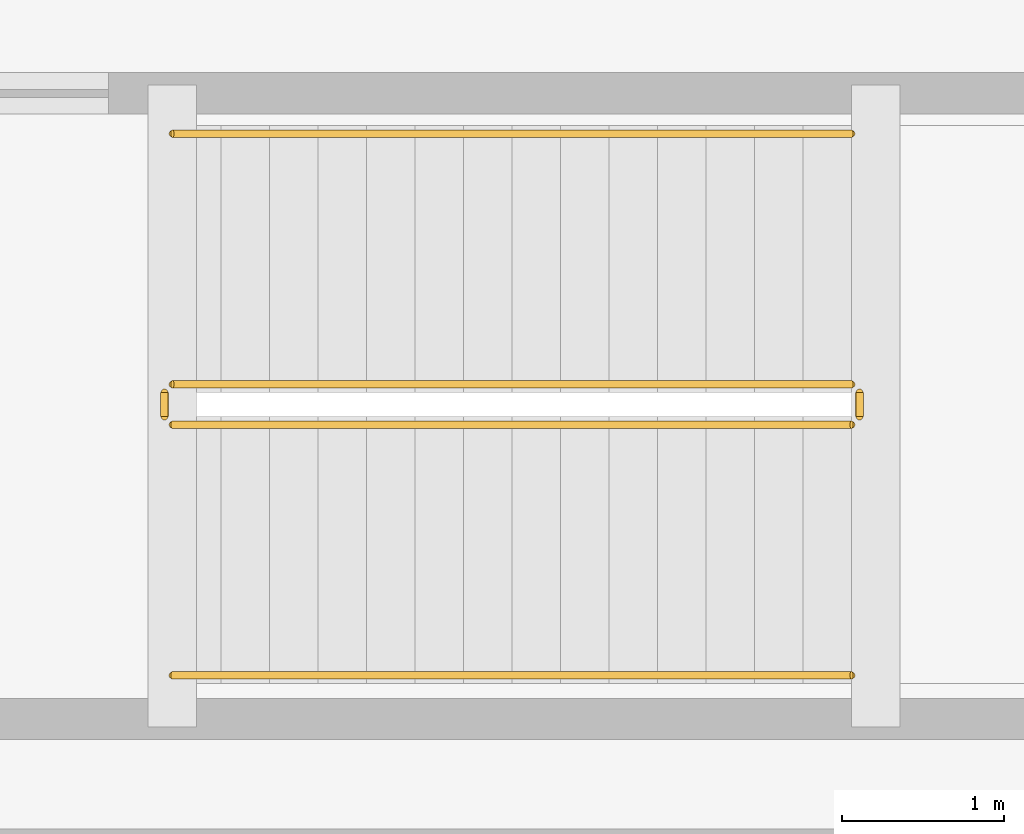
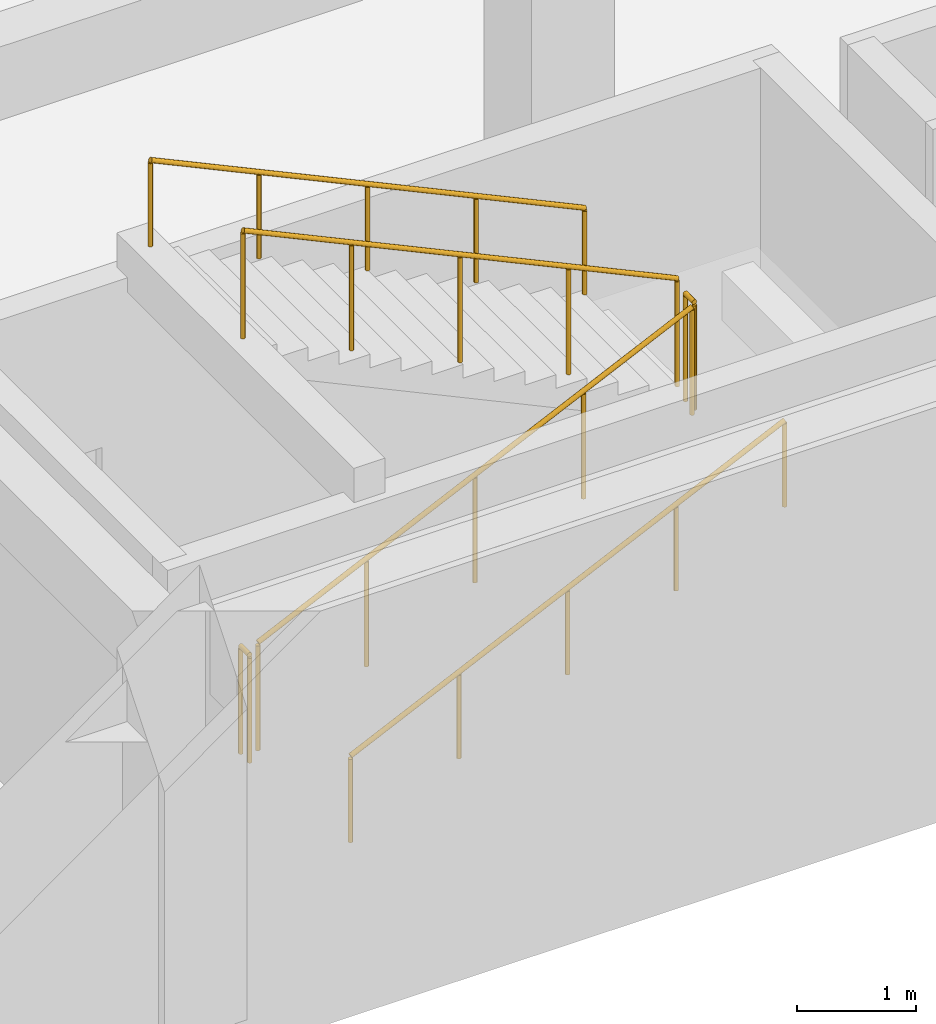
# One storey, part 59 of 63: 6 railings.
"""IFC4 building model written with IfcOpenShell, lengths in metres."""

from ifc_helpers import new_model, si_unit, direction, frame, origin, origin_2d, place, context, subcontext, project, spatial, circle, extrude, material, type_object, element, save


model = new_model("IFC4")

# Units and contexts
model_context = context("Model", 3, precision=1e-05, world=origin(), true_north=direction((0.0, 1.0)))
body_context = subcontext(model_context, "Body", "Model", "MODEL_VIEW")
ifc_project = project(units=[si_unit("LENGTHUNIT", "METRE"), si_unit("AREAUNIT", "SQUARE_METRE"), si_unit("VOLUMEUNIT", "CUBIC_METRE"), si_unit("PLANEANGLEUNIT", "RADIAN"), si_unit("MASSUNIT", "GRAM", prefix="KILO")], contexts=[model_context])

# Site, building, storey
site_placement = place(None, origin())
site = spatial("IfcSite", under=ifc_project, at=site_placement, CompositionType="ELEMENT")
building_placement = place(site_placement, origin())
building = spatial("IfcBuilding", under=site, at=building_placement, Name="Cumbredor Promenade Congress Hotel", CompositionType="ELEMENT")
storey_placement = place(building_placement, frame((0.0, 0.0, -4.199951171875)))
storey = spatial("IfcBuildingStorey", under=building, at=storey_placement, Name="B01", CompositionType="ELEMENT", Elevation=-4.199951171875)

# Railings
ifc_material = material(Name="Brushed stainless steel", Category="steel")
railing_type_1 = type_object("IfcRailingType", Name="Interior Void & Stair Guardrail GR-1100", PredefinedType="GUARDRAIL", material=ifc_material)
railing_1_placement = place(storey_placement, frame((145.14990234375, 11.199951171875, 0.139892578125)))
element("IfcRailing", 1, at=railing_1_placement, inside=storey, type_object=railing_type_1, Name="B01 ST-08 stair guard 1", PredefinedType="GUARDRAIL", context=body_context, shape_type="SweptSolid", body=[
    extrude(circle(Radius=0.02392578125, at=origin_2d()), frame((0.0, 0.0, 1.09619140625), z_axis=(0.906193905077, 0.0, 0.422862396533), x_axis=(0.0, 1.0, 0.0)), (0.0, 0.0, 1.0), 4.635009765625),
    extrude(circle(Radius=0.02099609375, at=origin_2d()), origin(), (0.0, 0.0, 1.0), 1.072021484375),
    extrude(circle(Radius=0.02099609375, at=origin_2d()), frame((1.050048828125, 0.0, 0.489990234375)), (0.0, 0.0, 1.0), 1.072021484375),
    extrude(circle(Radius=0.02099609375, at=origin_2d()), frame((2.10009765625, 0.0, 0.97998046875)), (0.0, 0.0, 1.0), 1.072021484375),
    extrude(circle(Radius=0.02099609375, at=origin_2d()), frame((3.150146484375, 0.0, 1.469970703125)), (0.0, 0.0, 1.0), 1.072021484375),
    extrude(circle(Radius=0.02099609375, at=origin_2d()), frame((4.2001953125, 0.0, 1.9599609375)), (0.0, 0.0, 1.0), 1.072021484375),
])
railing_2_placement = place(storey_placement, frame((149.39990234375, 11.25, 2.099853515625)))
element("IfcRailing", 2, at=railing_2_placement, inside=storey, type_object=railing_type_1, Name="B01 ST-08 stair guard 2", PredefinedType="GUARDRAIL", context=body_context, shape_type="SweptSolid", body=[
    extrude(circle(Radius=0.02392578125, at=origin_2d()), frame((0.0, 0.0, 1.09619140625), z_axis=(0.0, 1.0, 0.0), x_axis=(-1.0, 0.0, 0.0)), (0.0, 0.0, 1.0), 0.14990234375),
    extrude(circle(Radius=0.02099609375, at=origin_2d()), origin(), (0.0, 0.0, 1.0), 1.072021484375),
    extrude(circle(Radius=0.02099609375, at=origin_2d()), frame((0.0, 0.14990234375, 0.0)), (0.0, 0.0, 1.0), 1.072021484375),
])
railing_3_placement = place(storey_placement, frame((149.35009765625, 11.449951171875, 2.239990234375)))
element("IfcRailing", 3, at=railing_3_placement, inside=storey, type_object=railing_type_1, Name="B01 ST-08 stair guard 3", PredefinedType="GUARDRAIL", context=body_context, shape_type="SweptSolid", body=[
    extrude(circle(Radius=0.02392578125, at=origin_2d()), frame((0.0, 0.0, 1.09619140625), z_axis=(-0.906193905077, 0.0, 0.422862396533), x_axis=(0.0, -1.0, 0.0)), (0.0, 0.0, 1.0), 4.635009765625),
    extrude(circle(Radius=0.02099609375, at=origin_2d()), origin(), (0.0, 0.0, 1.0), 1.072021484375),
    extrude(circle(Radius=0.02099609375, at=origin_2d()), frame((-1.050048828125, 0.0, 0.489990234375)), (0.0, 0.0, 1.0), 1.072021484375),
    extrude(circle(Radius=0.02099609375, at=origin_2d()), frame((-2.10009765625, 0.0, 0.97998046875)), (0.0, 0.0, 1.0), 1.072021484375),
    extrude(circle(Radius=0.02099609375, at=origin_2d()), frame((-3.150146484375, 0.0, 1.469970703125)), (0.0, 0.0, 1.0), 1.072021484375),
    extrude(circle(Radius=0.02099609375, at=origin_2d()), frame((-4.2001953125, 0.0, 1.9599609375)), (0.0, 0.0, 1.0), 1.072021484375),
])
railing_4_placement = place(storey_placement, frame((145.10009765625, 11.25, 0.0)))
element("IfcRailing", 4, at=railing_4_placement, inside=storey, type_object=railing_type_1, Name="B01 ST-08 stair guard 4", PredefinedType="GUARDRAIL", context=body_context, shape_type="SweptSolid", body=[
    extrude(circle(Radius=0.02392578125, at=origin_2d()), frame((0.0, 0.0, 1.09619140625), z_axis=(0.0, 1.0, 0.0), x_axis=(-1.0, 0.0, 0.0)), (0.0, 0.0, 1.0), 0.14990234375),
    extrude(circle(Radius=0.02099609375, at=origin_2d()), origin(), (0.0, 0.0, 1.0), 1.072021484375),
    extrude(circle(Radius=0.02099609375, at=origin_2d()), frame((0.0, 0.14990234375, 0.0)), (0.0, 0.0, 1.0), 1.072021484375),
])
railing_type_2 = type_object("IfcRailingType", Name="Stair Pitch Handrail HR-900", PredefinedType="HANDRAIL", material=ifc_material)
railing_5_placement = place(storey_placement, frame((145.14990234375, 9.64990234375, 0.139892578125)))
element("IfcRailing", 5, at=railing_5_placement, inside=storey, type_object=railing_type_2, Name="B01 ST-08 stair handrail 1", PredefinedType="HANDRAIL", context=body_context, shape_type="SweptSolid", body=[
    extrude(circle(Radius=0.02392578125, at=origin_2d()), frame((0.0, 0.0, 0.8759765625), z_axis=(0.906193905077, 0.0, 0.422862396533), x_axis=(0.0, 1.0, 0.0)), (0.0, 0.0, 1.0), 4.635009765625),
    extrude(circle(Radius=0.02099609375, at=origin_2d()), origin(), (0.0, 0.0, 1.0), 0.851806640625),
    extrude(circle(Radius=0.02099609375, at=origin_2d()), frame((1.050048828125, 0.0, 0.489990234375)), (0.0, 0.0, 1.0), 0.851806640625),
    extrude(circle(Radius=0.02099609375, at=origin_2d()), frame((2.10009765625, 0.0, 0.97998046875)), (0.0, 0.0, 1.0), 0.851806640625),
    extrude(circle(Radius=0.02099609375, at=origin_2d()), frame((3.150146484375, 0.0, 1.469970703125)), (0.0, 0.0, 1.0), 0.851806640625),
    extrude(circle(Radius=0.02099609375, at=origin_2d()), frame((4.2001953125, 0.0, 1.9599609375)), (0.0, 0.0, 1.0), 0.851806640625),
])
railing_6_placement = place(storey_placement, frame((149.35009765625, 13.0, 2.239990234375)))
element("IfcRailing", 6, at=railing_6_placement, inside=storey, type_object=railing_type_2, Name="B01 ST-08 stair handrail 2", PredefinedType="HANDRAIL", context=body_context, shape_type="SweptSolid", body=[
    extrude(circle(Radius=0.02392578125, at=origin_2d()), frame((0.0, 0.0, 0.8759765625), z_axis=(-0.906193905077, 0.0, 0.422862396533), x_axis=(0.0, -1.0, 0.0)), (0.0, 0.0, 1.0), 4.635009765625),
    extrude(circle(Radius=0.02099609375, at=origin_2d()), origin(), (0.0, 0.0, 1.0), 0.851806640625),
    extrude(circle(Radius=0.02099609375, at=origin_2d()), frame((-1.050048828125, 0.0, 0.489990234375)), (0.0, 0.0, 1.0), 0.851806640625),
    extrude(circle(Radius=0.02099609375, at=origin_2d()), frame((-2.10009765625, 0.0, 0.97998046875)), (0.0, 0.0, 1.0), 0.851806640625),
    extrude(circle(Radius=0.02099609375, at=origin_2d()), frame((-3.150146484375, 0.0, 1.469970703125)), (0.0, 0.0, 1.0), 0.851806640625),
    extrude(circle(Radius=0.02099609375, at=origin_2d()), frame((-4.2001953125, 0.0, 1.9599609375)), (0.0, 0.0, 1.0), 0.851806640625),
])

save(model, "model.ifc")
